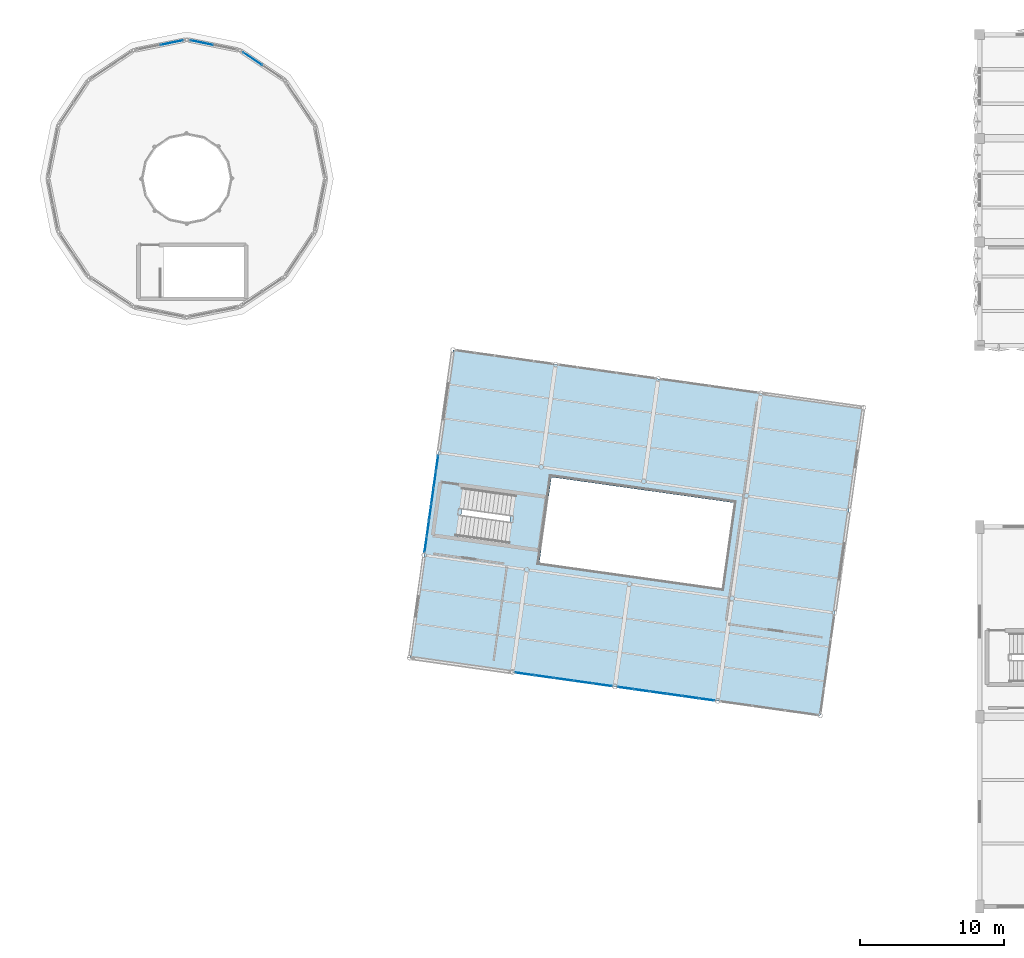
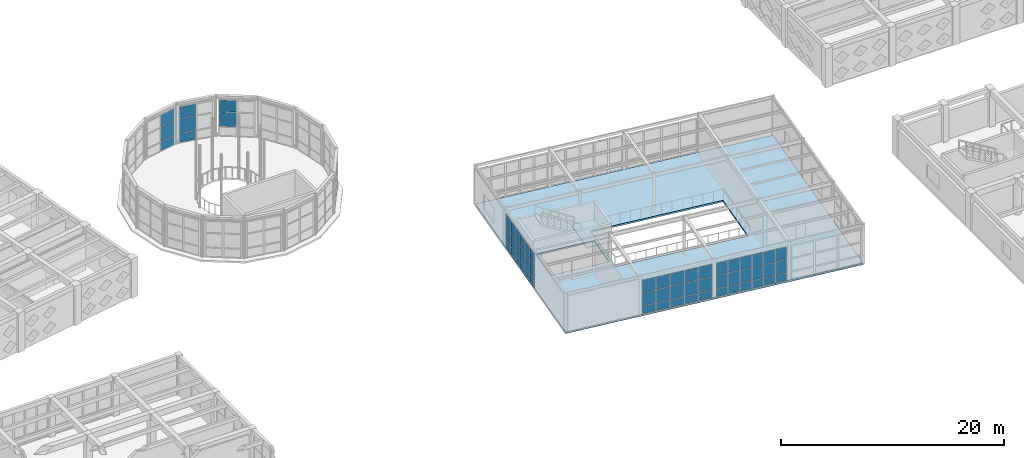
# One storey, part 55 of 80: 59 plates, 2 slabs, 7 elements without a shape of their own.
"""IFC4 building model written with IfcOpenShell, lengths in metres."""

from ifc_helpers import new_model, si_unit, direction, frame, origin, origin_2d, place, context, subcontext, project, spatial, polyline, rectangle, outline, extrude, material, layer, layer_set, type_object, element, aggregate, save


model = new_model("IFC4")

# Units and contexts
model_context = context("Model", 3, precision=1e-05, world=origin(), true_north=direction((0.0, 1.0)))
body_context = subcontext(model_context, "Body", "Model", "MODEL_VIEW")
ifc_project = project(units=[si_unit("LENGTHUNIT", "METRE"), si_unit("AREAUNIT", "SQUARE_METRE"), si_unit("VOLUMEUNIT", "CUBIC_METRE"), si_unit("PLANEANGLEUNIT", "RADIAN"), si_unit("MASSUNIT", "GRAM", prefix="KILO")], contexts=[model_context])

# Site, building, storey
site_placement = place(None, origin())
site = spatial("IfcSite", under=ifc_project, at=site_placement, CompositionType="ELEMENT")
building_placement = place(site_placement, origin())
building = spatial("IfcBuilding", under=site, at=building_placement, Name="Kharisveld Research Institute", CompositionType="ELEMENT")
storey_placement = place(building_placement, frame((0.0, 0.0, 5.10009765625)))
storey = spatial("IfcBuildingStorey", under=building, at=storey_placement, Name="L01", CompositionType="ELEMENT", Elevation=5.10009765625)

# Curtain wall, plates
ifc_material_1 = material(Name="Thermally Broken Aluminium Curtain Wall", Category="aluminium")
ifc_layer_1 = layer(ifc_material_1, 0.159912109375)
ifc_layer_set_1 = layer_set([ifc_layer_1], Name="CW_SYS_01")
curtain_wall_type_1 = type_object("IfcCurtainWallType", Name="CW_SYS_01", PredefinedType="NOTDEFINED", material=ifc_layer_set_1)
curtain_wall_1_placement = place(storey_placement, origin())
curtain_wall_1 = element("IfcCurtainWall", 1, at=curtain_wall_1_placement, inside=storey, type_object=curtain_wall_type_1, Name="CW:V4:L01:W1", PredefinedType="NOTDEFINED")
ifc_material_2 = material(Name="Low-E Double Glazing", Category="glass")
ifc_layer_2 = layer(ifc_material_2, 0.028076171875)
ifc_layer_set_2 = layer_set([ifc_layer_2], Name="CW_PNL_GLZ")
plate_type_1 = type_object("IfcPlateType", Name="CW_PNL_GLZ", PredefinedType="CURTAIN_PANEL", material=ifc_layer_set_2)
plate_1_placement = place(storey_placement, frame((76.106201171875, 25.37109375, 0.06494140625), z_axis=(0.0, 0.0, 1.0), x_axis=(0.139173245605, 0.990268048413, 0.0)))
plate_1 = element("IfcPlate", 2, at=plate_1_placement, type_object=plate_type_1, Name="CW-01 panel 1.1", PredefinedType="CURTAIN_PANEL", context=body_context, shape_type="SweptSolid", body=[
    extrude(rectangle(XDim=1.042724609375, YDim=0.028076171875, at=origin_2d()), origin(), (0.0, 0.0, 1.0), 0.802490234375),
])
plate_2_placement = place(storey_placement, frame((76.106201171875, 25.37109375, 0.9326171875), z_axis=(0.0, 0.0, 1.0), x_axis=(0.139173245605, 0.990268048413, 0.0)))
plate_2 = element("IfcPlate", 3, at=plate_2_placement, type_object=plate_type_1, Name="CW-01 panel 1.2", PredefinedType="CURTAIN_PANEL", context=body_context, shape_type="SweptSolid", body=[
    extrude(rectangle(XDim=1.042724609375, YDim=0.028076171875, at=origin_2d()), origin(), (0.0, 0.0, 1.0), 1.385009765625),
])
plate_3_placement = place(storey_placement, frame((76.106201171875, 25.37109375, 2.38232421875), z_axis=(0.0, 0.0, 1.0), x_axis=(0.139173245605, 0.990268048413, 0.0)))
plate_3 = element("IfcPlate", 4, at=plate_3_placement, type_object=plate_type_1, Name="CW-01 panel 1.3", PredefinedType="CURTAIN_PANEL", context=body_context, shape_type="SweptSolid", body=[
    extrude(rectangle(XDim=1.042724609375, YDim=0.028076171875, at=origin_2d()), origin(), (0.0, 0.0, 1.0), 1.33251953125),
])
plate_4_placement = place(storey_placement, frame((76.263427734375, 26.490234375, 0.06494140625), z_axis=(0.0, 0.0, 1.0), x_axis=(0.139173245605, 0.990268048413, 0.0)))
plate_4 = element("IfcPlate", 5, at=plate_4_placement, type_object=plate_type_1, Name="CW-01 panel 2.1", PredefinedType="CURTAIN_PANEL", context=body_context, shape_type="SweptSolid", body=[
    extrude(rectangle(XDim=1.07763671875, YDim=0.028076171875, at=origin_2d()), origin(), (0.0, 0.0, 1.0), 0.802490234375),
])
plate_5_placement = place(storey_placement, frame((76.263427734375, 26.490234375, 0.9326171875), z_axis=(0.0, 0.0, 1.0), x_axis=(0.139173245605, 0.990268048413, 0.0)))
plate_5 = element("IfcPlate", 6, at=plate_5_placement, type_object=plate_type_1, Name="CW-01 panel 2.2", PredefinedType="CURTAIN_PANEL", context=body_context, shape_type="SweptSolid", body=[
    extrude(rectangle(XDim=1.07763671875, YDim=0.028076171875, at=origin_2d()), origin(), (0.0, 0.0, 1.0), 1.385009765625),
])
plate_6_placement = place(storey_placement, frame((76.263427734375, 26.490234375, 2.38232421875), z_axis=(0.0, 0.0, 1.0), x_axis=(0.139173245605, 0.990268048413, 0.0)))
plate_6 = element("IfcPlate", 7, at=plate_6_placement, type_object=plate_type_1, Name="CW-01 panel 2.3", PredefinedType="CURTAIN_PANEL", context=body_context, shape_type="SweptSolid", body=[
    extrude(rectangle(XDim=1.07763671875, YDim=0.028076171875, at=origin_2d()), origin(), (0.0, 0.0, 1.0), 1.33251953125),
])
plate_7_placement = place(storey_placement, frame((76.423095703125, 27.626708984375, 0.06494140625), z_axis=(0.0, 0.0, 1.0), x_axis=(0.139173245605, 0.990268048413, 0.0)))
plate_7 = element("IfcPlate", 8, at=plate_7_placement, type_object=plate_type_1, Name="CW-01 panel 3.1", PredefinedType="CURTAIN_PANEL", context=body_context, shape_type="SweptSolid", body=[
    extrude(rectangle(XDim=1.07763671875, YDim=0.028076171875, at=origin_2d()), origin(), (0.0, 0.0, 1.0), 0.802490234375),
])
plate_8_placement = place(storey_placement, frame((76.423095703125, 27.626708984375, 0.9326171875), z_axis=(0.0, 0.0, 1.0), x_axis=(0.139173245605, 0.990268048413, 0.0)))
plate_8 = element("IfcPlate", 9, at=plate_8_placement, type_object=plate_type_1, Name="CW-01 panel 3.2", PredefinedType="CURTAIN_PANEL", context=body_context, shape_type="SweptSolid", body=[
    extrude(rectangle(XDim=1.07763671875, YDim=0.028076171875, at=origin_2d()), origin(), (0.0, 0.0, 1.0), 1.385009765625),
])
plate_9_placement = place(storey_placement, frame((76.423095703125, 27.626708984375, 2.38232421875), z_axis=(0.0, 0.0, 1.0), x_axis=(0.139173245605, 0.990268048413, 0.0)))
plate_9 = element("IfcPlate", 10, at=plate_9_placement, type_object=plate_type_1, Name="CW-01 panel 3.3", PredefinedType="CURTAIN_PANEL", context=body_context, shape_type="SweptSolid", body=[
    extrude(rectangle(XDim=1.07763671875, YDim=0.028076171875, at=origin_2d()), origin(), (0.0, 0.0, 1.0), 1.33251953125),
])
plate_10_placement = place(storey_placement, frame((76.5830078125, 28.76318359375, 0.06494140625), z_axis=(0.0, 0.0, 1.0), x_axis=(0.139173245605, 0.990268048413, 0.0)))
plate_10 = element("IfcPlate", 11, at=plate_10_placement, type_object=plate_type_1, Name="CW-01 panel 4.1", PredefinedType="CURTAIN_PANEL", context=body_context, shape_type="SweptSolid", body=[
    extrude(rectangle(XDim=1.07763671875, YDim=0.028076171875, at=origin_2d()), origin(), (0.0, 0.0, 1.0), 0.802490234375),
])
plate_11_placement = place(storey_placement, frame((76.5830078125, 28.76318359375, 0.9326171875), z_axis=(0.0, 0.0, 1.0), x_axis=(0.139173245605, 0.990268048413, 0.0)))
plate_11 = element("IfcPlate", 12, at=plate_11_placement, type_object=plate_type_1, Name="CW-01 panel 4.2", PredefinedType="CURTAIN_PANEL", context=body_context, shape_type="SweptSolid", body=[
    extrude(rectangle(XDim=1.07763671875, YDim=0.028076171875, at=origin_2d()), origin(), (0.0, 0.0, 1.0), 1.385009765625),
])
plate_12_placement = place(storey_placement, frame((76.5830078125, 28.76318359375, 2.38232421875), z_axis=(0.0, 0.0, 1.0), x_axis=(0.139173245605, 0.990268048413, 0.0)))
plate_12 = element("IfcPlate", 13, at=plate_12_placement, type_object=plate_type_1, Name="CW-01 panel 4.3", PredefinedType="CURTAIN_PANEL", context=body_context, shape_type="SweptSolid", body=[
    extrude(rectangle(XDim=1.07763671875, YDim=0.028076171875, at=origin_2d()), origin(), (0.0, 0.0, 1.0), 1.33251953125),
])
plate_13_placement = place(storey_placement, frame((76.74267578125, 29.899658203125, 0.06494140625), z_axis=(0.0, 0.0, 1.0), x_axis=(0.139173245605, 0.990268048413, 0.0)))
plate_13 = element("IfcPlate", 14, at=plate_13_placement, type_object=plate_type_1, Name="CW-01 panel 5.1", PredefinedType="CURTAIN_PANEL", context=body_context, shape_type="SweptSolid", body=[
    extrude(rectangle(XDim=1.07763671875, YDim=0.028076171875, at=origin_2d()), origin(), (0.0, 0.0, 1.0), 0.802490234375),
])
plate_14_placement = place(storey_placement, frame((76.74267578125, 29.899658203125, 0.9326171875), z_axis=(0.0, 0.0, 1.0), x_axis=(0.139173245605, 0.990268048413, 0.0)))
plate_14 = element("IfcPlate", 15, at=plate_14_placement, type_object=plate_type_1, Name="CW-01 panel 5.2", PredefinedType="CURTAIN_PANEL", context=body_context, shape_type="SweptSolid", body=[
    extrude(rectangle(XDim=1.07763671875, YDim=0.028076171875, at=origin_2d()), origin(), (0.0, 0.0, 1.0), 1.385009765625),
])
plate_15_placement = place(storey_placement, frame((76.74267578125, 29.899658203125, 2.38232421875), z_axis=(0.0, 0.0, 1.0), x_axis=(0.139173245605, 0.990268048413, 0.0)))
plate_15 = element("IfcPlate", 16, at=plate_15_placement, type_object=plate_type_1, Name="CW-01 panel 5.3", PredefinedType="CURTAIN_PANEL", context=body_context, shape_type="SweptSolid", body=[
    extrude(rectangle(XDim=1.07763671875, YDim=0.028076171875, at=origin_2d()), origin(), (0.0, 0.0, 1.0), 1.33251953125),
])
plate_16_placement = place(storey_placement, frame((76.89990234375, 31.018798828125, 0.06494140625), z_axis=(0.0, 0.0, 1.0), x_axis=(0.139173245605, 0.990268048413, 0.0)))
plate_16 = element("IfcPlate", 17, at=plate_16_placement, type_object=plate_type_1, Name="CW-01 panel 6.1", PredefinedType="CURTAIN_PANEL", context=body_context, shape_type="SweptSolid", body=[
    extrude(rectangle(XDim=1.042724609375, YDim=0.028076171875, at=origin_2d()), origin(), (0.0, 0.0, 1.0), 0.802490234375),
])
plate_17_placement = place(storey_placement, frame((76.89990234375, 31.018798828125, 0.9326171875), z_axis=(0.0, 0.0, 1.0), x_axis=(0.139173245605, 0.990268048413, 0.0)))
plate_17 = element("IfcPlate", 18, at=plate_17_placement, type_object=plate_type_1, Name="CW-01 panel 6.2", PredefinedType="CURTAIN_PANEL", context=body_context, shape_type="SweptSolid", body=[
    extrude(rectangle(XDim=1.042724609375, YDim=0.028076171875, at=origin_2d()), origin(), (0.0, 0.0, 1.0), 1.385009765625),
])
plate_18_placement = place(storey_placement, frame((76.89990234375, 31.018798828125, 2.38232421875), z_axis=(0.0, 0.0, 1.0), x_axis=(0.139173245605, 0.990268048413, 0.0)))
plate_18 = element("IfcPlate", 19, at=plate_18_placement, type_object=plate_type_1, Name="CW-01 panel 6.3", PredefinedType="CURTAIN_PANEL", context=body_context, shape_type="SweptSolid", body=[
    extrude(rectangle(XDim=1.042724609375, YDim=0.028076171875, at=origin_2d()), origin(), (0.0, 0.0, 1.0), 1.33251953125),
])
aggregate(curtain_wall_1, [plate_1, plate_2, plate_3, plate_4, plate_5, plate_6, plate_7, plate_8, plate_9, plate_10, plate_11, plate_12, plate_13, plate_14, plate_15, plate_16, plate_17, plate_18])

ifc_material_3 = material(Name="Thermally Broken Aluminium Curtain Wall", Category="aluminium")
ifc_layer_3 = layer(ifc_material_3, 0.159912109375)
ifc_layer_set_3 = layer_set([ifc_layer_3], Name="CW_SYS_02")
curtain_wall_type_2 = type_object("IfcCurtainWallType", Name="CW_SYS_02", PredefinedType="NOTDEFINED", material=ifc_layer_set_3)
curtain_wall_2_placement = place(storey_placement, origin())
curtain_wall_2 = element("IfcCurtainWall", 20, at=curtain_wall_2_placement, inside=storey, type_object=curtain_wall_type_2, Name="CW:V4:L01:S2", PredefinedType="NOTDEFINED")
plate_19_placement = place(storey_placement, frame((88.4052734375, 15.615966796875, 0.06494140625), z_axis=(0.0, 0.0, 1.0), x_axis=(-0.990268048413, 0.139173245605, 0.0)))
plate_19 = element("IfcPlate", 21, at=plate_19_placement, type_object=plate_type_1, Name="CW-02 panel 1.1", PredefinedType="CURTAIN_PANEL", context=body_context, shape_type="SweptSolid", body=[
    extrude(rectangle(XDim=1.272216796875, YDim=0.028076171875, at=origin_2d()), origin(), (0.0, 0.0, 1.0), 0.802490234375),
])
plate_20_placement = place(storey_placement, frame((88.4052734375, 15.615966796875, 0.9326171875), z_axis=(0.0, 0.0, 1.0), x_axis=(-0.990268048413, 0.139173245605, 0.0)))
plate_20 = element("IfcPlate", 22, at=plate_20_placement, type_object=plate_type_1, Name="CW-02 panel 1.2", PredefinedType="CURTAIN_PANEL", context=body_context, shape_type="SweptSolid", body=[
    extrude(rectangle(XDim=1.272216796875, YDim=0.028076171875, at=origin_2d()), origin(), (0.0, 0.0, 1.0), 1.385009765625),
])
plate_21_placement = place(storey_placement, frame((88.4052734375, 15.615966796875, 2.38232421875), z_axis=(0.0, 0.0, 1.0), x_axis=(-0.990268048413, 0.139173245605, 0.0)))
plate_21 = element("IfcPlate", 23, at=plate_21_placement, type_object=plate_type_1, Name="CW-02 panel 1.3", PredefinedType="CURTAIN_PANEL", context=body_context, shape_type="SweptSolid", body=[
    extrude(rectangle(XDim=1.272216796875, YDim=0.028076171875, at=origin_2d()), origin(), (0.0, 0.0, 1.0), 1.33251953125),
])
plate_22_placement = place(storey_placement, frame((87.05859375, 15.80517578125, 0.06494140625), z_axis=(0.0, 0.0, 1.0), x_axis=(-0.990268048413, 0.139173245605, 0.0)))
plate_22 = element("IfcPlate", 24, at=plate_22_placement, type_object=plate_type_1, Name="CW-02 panel 2.1", PredefinedType="CURTAIN_PANEL", context=body_context, shape_type="SweptSolid", body=[
    extrude(rectangle(XDim=1.30712890625, YDim=0.028076171875, at=origin_2d()), origin(), (0.0, 0.0, 1.0), 0.802490234375),
])
plate_23_placement = place(storey_placement, frame((87.05859375, 15.80517578125, 0.9326171875), z_axis=(0.0, 0.0, 1.0), x_axis=(-0.990268048413, 0.139173245605, 0.0)))
plate_23 = element("IfcPlate", 25, at=plate_23_placement, type_object=plate_type_1, Name="CW-02 panel 2.2", PredefinedType="CURTAIN_PANEL", context=body_context, shape_type="SweptSolid", body=[
    extrude(rectangle(XDim=1.30712890625, YDim=0.028076171875, at=origin_2d()), origin(), (0.0, 0.0, 1.0), 1.385009765625),
])
plate_24_placement = place(storey_placement, frame((87.05859375, 15.80517578125, 2.38232421875), z_axis=(0.0, 0.0, 1.0), x_axis=(-0.990268048413, 0.139173245605, 0.0)))
plate_24 = element("IfcPlate", 26, at=plate_24_placement, type_object=plate_type_1, Name="CW-02 panel 2.3", PredefinedType="CURTAIN_PANEL", context=body_context, shape_type="SweptSolid", body=[
    extrude(rectangle(XDim=1.30712890625, YDim=0.028076171875, at=origin_2d()), origin(), (0.0, 0.0, 1.0), 1.33251953125),
])
plate_25_placement = place(storey_placement, frame((85.69482421875, 15.996826171875, 0.06494140625), z_axis=(0.0, 0.0, 1.0), x_axis=(-0.990268048413, 0.139173245605, 0.0)))
plate_25 = element("IfcPlate", 27, at=plate_25_placement, type_object=plate_type_1, Name="CW-02 panel 3.1", PredefinedType="CURTAIN_PANEL", context=body_context, shape_type="SweptSolid", body=[
    extrude(rectangle(XDim=1.30712890625, YDim=0.028076171875, at=origin_2d()), origin(), (0.0, 0.0, 1.0), 0.802490234375),
])
plate_26_placement = place(storey_placement, frame((85.69482421875, 15.996826171875, 0.9326171875), z_axis=(0.0, 0.0, 1.0), x_axis=(-0.990268048413, 0.139173245605, 0.0)))
plate_26 = element("IfcPlate", 28, at=plate_26_placement, type_object=plate_type_1, Name="CW-02 panel 3.2", PredefinedType="CURTAIN_PANEL", context=body_context, shape_type="SweptSolid", body=[
    extrude(rectangle(XDim=1.30712890625, YDim=0.028076171875, at=origin_2d()), origin(), (0.0, 0.0, 1.0), 1.385009765625),
])
plate_27_placement = place(storey_placement, frame((85.69482421875, 15.996826171875, 2.38232421875), z_axis=(0.0, 0.0, 1.0), x_axis=(-0.990268048413, 0.139173245605, 0.0)))
plate_27 = element("IfcPlate", 29, at=plate_27_placement, type_object=plate_type_1, Name="CW-02 panel 3.3", PredefinedType="CURTAIN_PANEL", context=body_context, shape_type="SweptSolid", body=[
    extrude(rectangle(XDim=1.30712890625, YDim=0.028076171875, at=origin_2d()), origin(), (0.0, 0.0, 1.0), 1.33251953125),
])
plate_28_placement = place(storey_placement, frame((84.3310546875, 16.188720703125, 0.06494140625), z_axis=(0.0, 0.0, 1.0), x_axis=(-0.990268048413, 0.139173245605, 0.0)))
plate_28 = element("IfcPlate", 30, at=plate_28_placement, type_object=plate_type_1, Name="CW-02 panel 4.1", PredefinedType="CURTAIN_PANEL", context=body_context, shape_type="SweptSolid", body=[
    extrude(rectangle(XDim=1.30712890625, YDim=0.028076171875, at=origin_2d()), origin(), (0.0, 0.0, 1.0), 0.802490234375),
])
plate_29_placement = place(storey_placement, frame((84.3310546875, 16.188720703125, 0.9326171875), z_axis=(0.0, 0.0, 1.0), x_axis=(-0.990268048413, 0.139173245605, 0.0)))
plate_29 = element("IfcPlate", 31, at=plate_29_placement, type_object=plate_type_1, Name="CW-02 panel 4.2", PredefinedType="CURTAIN_PANEL", context=body_context, shape_type="SweptSolid", body=[
    extrude(rectangle(XDim=1.30712890625, YDim=0.028076171875, at=origin_2d()), origin(), (0.0, 0.0, 1.0), 1.385009765625),
])
plate_30_placement = place(storey_placement, frame((84.3310546875, 16.188720703125, 2.38232421875), z_axis=(0.0, 0.0, 1.0), x_axis=(-0.990268048413, 0.139173245605, 0.0)))
plate_30 = element("IfcPlate", 32, at=plate_30_placement, type_object=plate_type_1, Name="CW-02 panel 4.3", PredefinedType="CURTAIN_PANEL", context=body_context, shape_type="SweptSolid", body=[
    extrude(rectangle(XDim=1.30712890625, YDim=0.028076171875, at=origin_2d()), origin(), (0.0, 0.0, 1.0), 1.33251953125),
])
plate_31_placement = place(storey_placement, frame((82.984619140625, 16.3779296875, 0.06494140625), z_axis=(0.0, 0.0, 1.0), x_axis=(-0.990268048413, 0.139173245605, 0.0)))
plate_31 = element("IfcPlate", 33, at=plate_31_placement, type_object=plate_type_1, Name="CW-02 panel 5.1", PredefinedType="CURTAIN_PANEL", context=body_context, shape_type="SweptSolid", body=[
    extrude(rectangle(XDim=1.272216796875, YDim=0.028076171875, at=origin_2d()), origin(), (0.0, 0.0, 1.0), 0.802490234375),
])
plate_32_placement = place(storey_placement, frame((82.984619140625, 16.3779296875, 0.9326171875), z_axis=(0.0, 0.0, 1.0), x_axis=(-0.990268048413, 0.139173245605, 0.0)))
plate_32 = element("IfcPlate", 34, at=plate_32_placement, type_object=plate_type_1, Name="CW-02 panel 5.2", PredefinedType="CURTAIN_PANEL", context=body_context, shape_type="SweptSolid", body=[
    extrude(rectangle(XDim=1.272216796875, YDim=0.028076171875, at=origin_2d()), origin(), (0.0, 0.0, 1.0), 1.385009765625),
])
plate_33_placement = place(storey_placement, frame((82.984619140625, 16.3779296875, 2.38232421875), z_axis=(0.0, 0.0, 1.0), x_axis=(-0.990268048413, 0.139173245605, 0.0)))
plate_33 = element("IfcPlate", 35, at=plate_33_placement, type_object=plate_type_1, Name="CW-02 panel 5.3", PredefinedType="CURTAIN_PANEL", context=body_context, shape_type="SweptSolid", body=[
    extrude(rectangle(XDim=1.272216796875, YDim=0.028076171875, at=origin_2d()), origin(), (0.0, 0.0, 1.0), 1.33251953125),
])
aggregate(curtain_wall_2, [plate_19, plate_20, plate_21, plate_22, plate_23, plate_24, plate_25, plate_26, plate_27, plate_28, plate_29, plate_30, plate_31, plate_32, plate_33])

ifc_material_4 = material(Name="Thermally Broken Aluminium Curtain Wall", Category="aluminium")
ifc_layer_4 = layer(ifc_material_4, 0.159912109375)
ifc_layer_set_4 = layer_set([ifc_layer_4], Name="CW_SYS_03")
curtain_wall_type_3 = type_object("IfcCurtainWallType", Name="CW_SYS_03", PredefinedType="NOTDEFINED", material=ifc_layer_set_4)
curtain_wall_3_placement = place(storey_placement, origin())
curtain_wall_3 = element("IfcCurtainWall", 36, at=curtain_wall_3_placement, inside=storey, type_object=curtain_wall_type_3, Name="CW:V6:L01:CHORD02", PredefinedType="NOTDEFINED")
plate_34_placement = place(storey_placement, frame((64.078369140625, 59.123779296875, 1.079833984375), z_axis=(0.0, 0.0, 1.0), x_axis=(0.831469694616, -0.555570109828, 0.0)))
plate_34 = element("IfcPlate", 37, at=plate_34_placement, type_object=plate_type_1, Name="CW-03 panel 1.2", PredefinedType="CURTAIN_PANEL", context=body_context, shape_type="SweptSolid", body=[
    extrude(rectangle(XDim=1.570068359375, YDim=0.028076171875, at=origin_2d()), origin(), (0.0, 0.0, 1.0), 1.5400390625),
])
plate_35_placement = place(storey_placement, frame((64.078369140625, 59.123779296875, 2.6796875), z_axis=(0.0, 0.0, 1.0), x_axis=(0.831469694616, -0.555570109828, 0.0)))
plate_35 = element("IfcPlate", 38, at=plate_35_placement, type_object=plate_type_1, Name="CW-03 panel 1.3", PredefinedType="CURTAIN_PANEL", context=body_context, shape_type="SweptSolid", body=[
    extrude(rectangle(XDim=1.570068359375, YDim=0.028076171875, at=origin_2d()), origin(), (0.0, 0.0, 1.0), 1.260009765625),
])
aggregate(curtain_wall_3, [plate_34, plate_35])

ifc_material_5 = material(Name="Thermally Broken Aluminium Curtain Wall", Category="aluminium")
ifc_layer_5 = layer(ifc_material_5, 0.159912109375)
ifc_layer_set_5 = layer_set([ifc_layer_5], Name="CW_SYS_04")
curtain_wall_type_4 = type_object("IfcCurtainWallType", Name="CW_SYS_04", PredefinedType="NOTDEFINED", material=ifc_layer_set_5)
curtain_wall_4_placement = place(storey_placement, origin())
curtain_wall_4 = element("IfcCurtainWall", 39, at=curtain_wall_4_placement, inside=storey, type_object=curtain_wall_type_4, Name="CW:V6:L01:CHORD03", PredefinedType="NOTDEFINED")
plate_36_placement = place(storey_placement, frame((60.544677734375, 60.2421875, 0.059814453125), z_axis=(0.0, 0.0, 1.0), x_axis=(0.980785199106, -0.195090730724, 0.0)))
plate_36 = element("IfcPlate", 40, at=plate_36_placement, type_object=plate_type_1, Name="CW-04 panel 1.1", PredefinedType="CURTAIN_PANEL", context=body_context, shape_type="SweptSolid", body=[
    extrude(rectangle(XDim=1.570068359375, YDim=0.028076171875, at=origin_2d()), origin(), (0.0, 0.0, 1.0), 0.9599609375),
])
plate_37_placement = place(storey_placement, frame((60.544677734375, 60.2421875, 1.079833984375), z_axis=(0.0, 0.0, 1.0), x_axis=(0.980785199106, -0.195090730724, 0.0)))
plate_37 = element("IfcPlate", 41, at=plate_37_placement, type_object=plate_type_1, Name="CW-04 panel 1.2", PredefinedType="CURTAIN_PANEL", context=body_context, shape_type="SweptSolid", body=[
    extrude(rectangle(XDim=1.570068359375, YDim=0.028076171875, at=origin_2d()), origin(), (0.0, 0.0, 1.0), 1.5400390625),
])
plate_38_placement = place(storey_placement, frame((60.544677734375, 60.2421875, 2.6796875), z_axis=(0.0, 0.0, 1.0), x_axis=(0.980785199106, -0.195090730724, 0.0)))
plate_38 = element("IfcPlate", 42, at=plate_38_placement, type_object=plate_type_1, Name="CW-04 panel 1.3", PredefinedType="CURTAIN_PANEL", context=body_context, shape_type="SweptSolid", body=[
    extrude(rectangle(XDim=1.570068359375, YDim=0.028076171875, at=origin_2d()), origin(), (0.0, 0.0, 1.0), 1.260009765625),
])
aggregate(curtain_wall_4, [plate_36, plate_37, plate_38])

ifc_material_6 = material(Name="Thermally Broken Aluminium Curtain Wall", Category="aluminium")
ifc_layer_6 = layer(ifc_material_6, 0.159912109375)
ifc_layer_set_6 = layer_set([ifc_layer_6], Name="CW_SYS_05")
curtain_wall_type_5 = type_object("IfcCurtainWallType", Name="CW_SYS_05", PredefinedType="NOTDEFINED", material=ifc_layer_set_6)
curtain_wall_5_placement = place(storey_placement, origin())
curtain_wall_5 = element("IfcCurtainWall", 43, at=curtain_wall_5_placement, inside=storey, type_object=curtain_wall_type_5, Name="CW:V6:L01:CHORD04", PredefinedType="NOTDEFINED")
plate_39_placement = place(storey_placement, frame((58.455322265625, 60.2421875, 0.059814453125), z_axis=(0.0, 0.0, 1.0), x_axis=(0.980785199106, 0.195090730724, 0.0)))
plate_39 = element("IfcPlate", 44, at=plate_39_placement, type_object=plate_type_1, Name="CW-05 panel 2.1", PredefinedType="CURTAIN_PANEL", context=body_context, shape_type="SweptSolid", body=[
    extrude(rectangle(XDim=1.570068359375, YDim=0.028076171875, at=origin_2d()), origin(), (0.0, 0.0, 1.0), 0.9599609375),
])
plate_40_placement = place(storey_placement, frame((58.455322265625, 60.2421875, 1.079833984375), z_axis=(0.0, 0.0, 1.0), x_axis=(0.980785199106, 0.195090730724, 0.0)))
plate_40 = element("IfcPlate", 45, at=plate_40_placement, type_object=plate_type_1, Name="CW-05 panel 2.2", PredefinedType="CURTAIN_PANEL", context=body_context, shape_type="SweptSolid", body=[
    extrude(rectangle(XDim=1.570068359375, YDim=0.028076171875, at=origin_2d()), origin(), (0.0, 0.0, 1.0), 1.5400390625),
])
plate_41_placement = place(storey_placement, frame((58.455322265625, 60.2421875, 2.6796875), z_axis=(0.0, 0.0, 1.0), x_axis=(0.980785199106, 0.195090730724, 0.0)))
plate_41 = element("IfcPlate", 46, at=plate_41_placement, type_object=plate_type_1, Name="CW-05 panel 2.3", PredefinedType="CURTAIN_PANEL", context=body_context, shape_type="SweptSolid", body=[
    extrude(rectangle(XDim=1.570068359375, YDim=0.028076171875, at=origin_2d()), origin(), (0.0, 0.0, 1.0), 1.260009765625),
])
aggregate(curtain_wall_5, [plate_39, plate_40, plate_41])

curtain_wall_6_placement = place(storey_placement, origin())
curtain_wall_6 = element("IfcCurtainWall", 47, at=curtain_wall_6_placement, inside=storey, type_object=curtain_wall_type_1, Name="CW:V4:L01:S3", PredefinedType="NOTDEFINED")
ifc_material_7 = material(Name="Insulated Spandrel Glazing", Category="glass")
ifc_layer_7 = layer(ifc_material_7, 0.035888671875)
ifc_layer_set_7 = layer_set([ifc_layer_7], Name="CW_PNL_SPD")
plate_type_2 = type_object("IfcPlateType", Name="CW_PNL_SPD", PredefinedType="CURTAIN_PANEL", material=ifc_layer_set_7)
plate_42_placement = place(storey_placement, frame((95.648681640625, 14.597900390625, 0.06494140625), z_axis=(0.0, 0.0, 1.0), x_axis=(-0.990268068426, 0.139173103207, 0.0)))
plate_42 = element("IfcPlate", 48, at=plate_42_placement, type_object=plate_type_2, Name="CW-01 panel 1.1", PredefinedType="CURTAIN_PANEL", context=body_context, shape_type="SweptSolid", body=[
    extrude(rectangle(XDim=1.042724609375, YDim=0.035888671875, at=origin_2d()), origin(), (0.0, 0.0, 1.0), 0.802490234375),
])
plate_43_placement = place(storey_placement, frame((95.648681640625, 14.597900390625, 0.9326171875), z_axis=(0.0, 0.0, 1.0), x_axis=(-0.990268068426, 0.139173103207, 0.0)))
plate_43 = element("IfcPlate", 49, at=plate_43_placement, type_object=plate_type_2, Name="CW-01 panel 1.2", PredefinedType="CURTAIN_PANEL", context=body_context, shape_type="SweptSolid", body=[
    extrude(rectangle(XDim=1.042724609375, YDim=0.035888671875, at=origin_2d()), origin(), (0.0, 0.0, 1.0), 1.385009765625),
])
plate_44_placement = place(storey_placement, frame((95.648681640625, 14.597900390625, 2.38232421875), z_axis=(0.0, 0.0, 1.0), x_axis=(-0.990268068426, 0.139173103207, 0.0)))
plate_44 = element("IfcPlate", 50, at=plate_44_placement, type_object=plate_type_2, Name="CW-01 panel 1.3", PredefinedType="CURTAIN_PANEL", context=body_context, shape_type="SweptSolid", body=[
    extrude(rectangle(XDim=1.042724609375, YDim=0.035888671875, at=origin_2d()), origin(), (0.0, 0.0, 1.0), 1.33251953125),
])
plate_45_placement = place(storey_placement, frame((94.529541015625, 14.75537109375, 0.06494140625), z_axis=(0.0, 0.0, 1.0), x_axis=(-0.990268068426, 0.139173103207, 0.0)))
plate_45 = element("IfcPlate", 51, at=plate_45_placement, type_object=plate_type_2, Name="CW-01 panel 2.1", PredefinedType="CURTAIN_PANEL", context=body_context, shape_type="SweptSolid", body=[
    extrude(rectangle(XDim=1.07763671875, YDim=0.035888671875, at=origin_2d()), origin(), (0.0, 0.0, 1.0), 0.802490234375),
])
plate_46_placement = place(storey_placement, frame((94.529541015625, 14.75537109375, 0.9326171875), z_axis=(0.0, 0.0, 1.0), x_axis=(-0.990268068426, 0.139173103207, 0.0)))
plate_46 = element("IfcPlate", 52, at=plate_46_placement, type_object=plate_type_2, Name="CW-01 panel 2.2", PredefinedType="CURTAIN_PANEL", context=body_context, shape_type="SweptSolid", body=[
    extrude(rectangle(XDim=1.07763671875, YDim=0.035888671875, at=origin_2d()), origin(), (0.0, 0.0, 1.0), 1.385009765625),
])
plate_47_placement = place(storey_placement, frame((94.529541015625, 14.75537109375, 2.38232421875), z_axis=(0.0, 0.0, 1.0), x_axis=(-0.990268068426, 0.139173103207, 0.0)))
plate_47 = element("IfcPlate", 53, at=plate_47_placement, type_object=plate_type_2, Name="CW-01 panel 2.3", PredefinedType="CURTAIN_PANEL", context=body_context, shape_type="SweptSolid", body=[
    extrude(rectangle(XDim=1.07763671875, YDim=0.035888671875, at=origin_2d()), origin(), (0.0, 0.0, 1.0), 1.33251953125),
])
plate_48_placement = place(storey_placement, frame((93.39306640625, 14.9150390625, 0.06494140625), z_axis=(0.0, 0.0, 1.0), x_axis=(-0.990268068426, 0.139173103207, 0.0)))
plate_48 = element("IfcPlate", 54, at=plate_48_placement, type_object=plate_type_2, Name="CW-01 panel 3.1", PredefinedType="CURTAIN_PANEL", context=body_context, shape_type="SweptSolid", body=[
    extrude(rectangle(XDim=1.07763671875, YDim=0.035888671875, at=origin_2d()), origin(), (0.0, 0.0, 1.0), 0.802490234375),
])
plate_49_placement = place(storey_placement, frame((93.39306640625, 14.9150390625, 0.9326171875), z_axis=(0.0, 0.0, 1.0), x_axis=(-0.990268068426, 0.139173103207, 0.0)))
plate_49 = element("IfcPlate", 55, at=plate_49_placement, type_object=plate_type_2, Name="CW-01 panel 3.2", PredefinedType="CURTAIN_PANEL", context=body_context, shape_type="SweptSolid", body=[
    extrude(rectangle(XDim=1.07763671875, YDim=0.035888671875, at=origin_2d()), origin(), (0.0, 0.0, 1.0), 1.385009765625),
])
plate_50_placement = place(storey_placement, frame((93.39306640625, 14.9150390625, 2.38232421875), z_axis=(0.0, 0.0, 1.0), x_axis=(-0.990268068426, 0.139173103207, 0.0)))
plate_50 = element("IfcPlate", 56, at=plate_50_placement, type_object=plate_type_2, Name="CW-01 panel 3.3", PredefinedType="CURTAIN_PANEL", context=body_context, shape_type="SweptSolid", body=[
    extrude(rectangle(XDim=1.07763671875, YDim=0.035888671875, at=origin_2d()), origin(), (0.0, 0.0, 1.0), 1.33251953125),
])
plate_51_placement = place(storey_placement, frame((92.256591796875, 15.07470703125, 0.06494140625), z_axis=(0.0, 0.0, 1.0), x_axis=(-0.990268068426, 0.139173103207, 0.0)))
plate_51 = element("IfcPlate", 57, at=plate_51_placement, type_object=plate_type_2, Name="CW-01 panel 4.1", PredefinedType="CURTAIN_PANEL", context=body_context, shape_type="SweptSolid", body=[
    extrude(rectangle(XDim=1.07763671875, YDim=0.035888671875, at=origin_2d()), origin(), (0.0, 0.0, 1.0), 0.802490234375),
])
plate_52_placement = place(storey_placement, frame((92.256591796875, 15.07470703125, 0.9326171875), z_axis=(0.0, 0.0, 1.0), x_axis=(-0.990268068426, 0.139173103207, 0.0)))
plate_52 = element("IfcPlate", 58, at=plate_52_placement, type_object=plate_type_2, Name="CW-01 panel 4.2", PredefinedType="CURTAIN_PANEL", context=body_context, shape_type="SweptSolid", body=[
    extrude(rectangle(XDim=1.07763671875, YDim=0.035888671875, at=origin_2d()), origin(), (0.0, 0.0, 1.0), 1.385009765625),
])
plate_53_placement = place(storey_placement, frame((92.256591796875, 15.07470703125, 2.38232421875), z_axis=(0.0, 0.0, 1.0), x_axis=(-0.990268068426, 0.139173103207, 0.0)))
plate_53 = element("IfcPlate", 59, at=plate_53_placement, type_object=plate_type_2, Name="CW-01 panel 4.3", PredefinedType="CURTAIN_PANEL", context=body_context, shape_type="SweptSolid", body=[
    extrude(rectangle(XDim=1.07763671875, YDim=0.035888671875, at=origin_2d()), origin(), (0.0, 0.0, 1.0), 1.33251953125),
])
plate_54_placement = place(storey_placement, frame((91.1201171875, 15.234375, 0.06494140625), z_axis=(0.0, 0.0, 1.0), x_axis=(-0.990268068426, 0.139173103207, 0.0)))
plate_54 = element("IfcPlate", 60, at=plate_54_placement, type_object=plate_type_2, Name="CW-01 panel 5.1", PredefinedType="CURTAIN_PANEL", context=body_context, shape_type="SweptSolid", body=[
    extrude(rectangle(XDim=1.07763671875, YDim=0.035888671875, at=origin_2d()), origin(), (0.0, 0.0, 1.0), 0.802490234375),
])
plate_55_placement = place(storey_placement, frame((91.1201171875, 15.234375, 0.9326171875), z_axis=(0.0, 0.0, 1.0), x_axis=(-0.990268068426, 0.139173103207, 0.0)))
plate_55 = element("IfcPlate", 61, at=plate_55_placement, type_object=plate_type_2, Name="CW-01 panel 5.2", PredefinedType="CURTAIN_PANEL", context=body_context, shape_type="SweptSolid", body=[
    extrude(rectangle(XDim=1.07763671875, YDim=0.035888671875, at=origin_2d()), origin(), (0.0, 0.0, 1.0), 1.385009765625),
])
plate_56_placement = place(storey_placement, frame((91.1201171875, 15.234375, 2.38232421875), z_axis=(0.0, 0.0, 1.0), x_axis=(-0.990268068426, 0.139173103207, 0.0)))
plate_56 = element("IfcPlate", 62, at=plate_56_placement, type_object=plate_type_2, Name="CW-01 panel 5.3", PredefinedType="CURTAIN_PANEL", context=body_context, shape_type="SweptSolid", body=[
    extrude(rectangle(XDim=1.07763671875, YDim=0.035888671875, at=origin_2d()), origin(), (0.0, 0.0, 1.0), 1.33251953125),
])
plate_57_placement = place(storey_placement, frame((90.0009765625, 15.391845703125, 0.06494140625), z_axis=(0.0, 0.0, 1.0), x_axis=(-0.990268068426, 0.139173103207, 0.0)))
plate_57 = element("IfcPlate", 63, at=plate_57_placement, type_object=plate_type_2, Name="CW-01 panel 6.1", PredefinedType="CURTAIN_PANEL", context=body_context, shape_type="SweptSolid", body=[
    extrude(rectangle(XDim=1.042724609375, YDim=0.035888671875, at=origin_2d()), origin(), (0.0, 0.0, 1.0), 0.802490234375),
])
plate_58_placement = place(storey_placement, frame((90.0009765625, 15.391845703125, 0.9326171875), z_axis=(0.0, 0.0, 1.0), x_axis=(-0.990268068426, 0.139173103207, 0.0)))
plate_58 = element("IfcPlate", 64, at=plate_58_placement, type_object=plate_type_2, Name="CW-01 panel 6.2", PredefinedType="CURTAIN_PANEL", context=body_context, shape_type="SweptSolid", body=[
    extrude(rectangle(XDim=1.042724609375, YDim=0.035888671875, at=origin_2d()), origin(), (0.0, 0.0, 1.0), 1.385009765625),
])
plate_59_placement = place(storey_placement, frame((90.0009765625, 15.391845703125, 2.38232421875), z_axis=(0.0, 0.0, 1.0), x_axis=(-0.990268068426, 0.139173103207, 0.0)))
plate_59 = element("IfcPlate", 65, at=plate_59_placement, type_object=plate_type_2, Name="CW-01 panel 6.3", PredefinedType="CURTAIN_PANEL", context=body_context, shape_type="SweptSolid", body=[
    extrude(rectangle(XDim=1.042724609375, YDim=0.035888671875, at=origin_2d()), origin(), (0.0, 0.0, 1.0), 1.33251953125),
])
aggregate(curtain_wall_6, [plate_42, plate_43, plate_44, plate_45, plate_46, plate_47, plate_48, plate_49, plate_50, plate_51, plate_52, plate_53, plate_54, plate_55, plate_56, plate_57, plate_58, plate_59])

# Slab
ifc_material_8 = material(Name="Concrete C40/50", Category="concrete")
ifc_layer_8 = layer(ifc_material_8, 0.179931640625)
ifc_layer_set_8 = layer_set([ifc_layer_8], Name="SL_FLR_180")
slab_type_1 = type_object("IfcSlabType", Name="SL_FLR_180", PredefinedType="FLOOR", material=ifc_layer_set_8)
slab_1_placement = place(storey_placement, frame((0.0, 0.0, -0.18017578125)))
element("IfcSlab", 66, at=slab_1_placement, inside=storey, type_object=slab_type_1, Name="SLAB:V4:L01:MAIN", PredefinedType="FLOOR", context=body_context, shape_type="SweptSolid", body=[
    extrude(outline(polyline([(75.0, 17.5), (103.519775390625, 13.49169921875), (106.52587890625, 34.881591796875), (78.006103515625, 38.889892578125), (75.0, 17.5)]), holes=[polyline([(97.51806640625, 28.27099609375), (96.68310546875, 22.329345703125), (84.0078125, 24.110595703125), (84.8427734375, 30.05224609375), (97.51806640625, 28.27099609375)]), polyline([(84.385009765625, 28.591796875), (83.892333984375, 25.086181640625), (78.346923828125, 25.86572265625), (78.839599609375, 29.37109375), (84.385009765625, 28.591796875)])]), origin(), (0.0, 0.0, 1.0), 0.18017578125),
])

# Stair, slab
ifc_material_9 = material(Name="Concrete C40/50", Category="concrete")
stair_type = type_object("IfcStairType", Name="ST_FEAT_154", PredefinedType="TWO_STRAIGHT_RUN_STAIR", material=ifc_material_9)
stair_placement = place(storey_placement, origin())
stair = element("IfcStair", 67, at=stair_placement, inside=storey, type_object=stair_type, Name="STR:ST5:L01", PredefinedType="TWO_STRAIGHT_RUN_STAIR")
ifc_material_10 = material(Name="Concrete C40/50", Category="concrete")
ifc_layer_9 = layer(ifc_material_10, 0.179931640625)
ifc_layer_set_9 = layer_set([ifc_layer_9], Name="SL_LND_180")
slab_type_2 = type_object("IfcSlabType", Name="SL_LND_180", PredefinedType="LANDING", material=ifc_layer_set_9)
slab_2_placement = place(storey_placement, frame((0.0, 0.0, 2.06982421875)))
slab_2 = element("IfcSlab", 68, at=slab_2_placement, type_object=slab_type_2, Name="ST-05 landing 1", PredefinedType="LANDING", context=body_context, shape_type="SweptSolid", body=[
    extrude(outline(polyline([(81.70556640625, 25.26220703125), (84.022705078125, 24.9365234375), (84.5517578125, 28.69970703125), (82.234375, 29.025390625), (81.70556640625, 25.26220703125)])), origin(), (0.0, 0.0, 1.0), 0.18017578125),
])
aggregate(stair, [slab_2])

save(model, "model.ifc")
